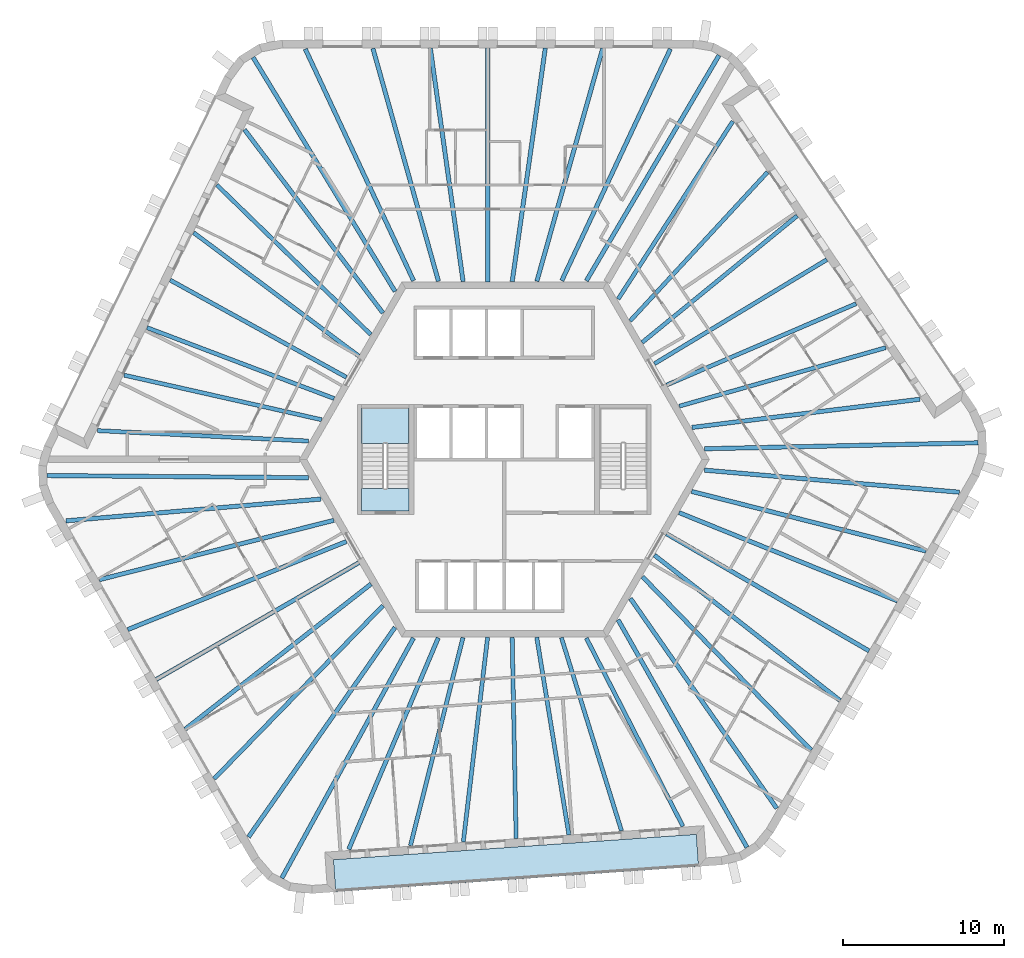
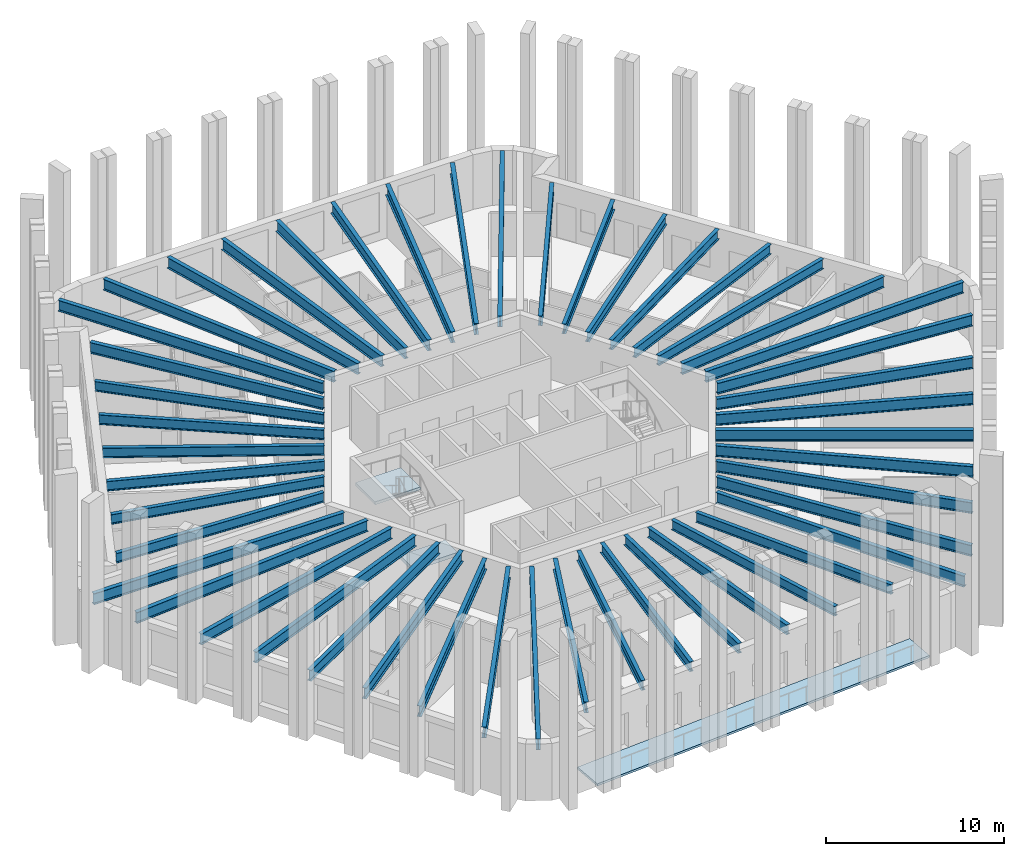
# One storey, part 1 of 12: 48 beams, 3 slabs, 1 element without a shape of its own.
"""IFC4 building model written with IfcOpenShell, lengths in metres."""

from ifc_helpers import new_model, si_unit, direction, frame, origin, origin_2d, place, context, subcontext, project, spatial, polyline, i_section, outline, extrude, material, layer, layer_set, material_profile, profile_set, type_object, element, aggregate, save


model = new_model("IFC4")

# Units and contexts
model_context = context("Model", 3, precision=1e-05, world=origin(), true_north=direction((0.0, 1.0)))
body_context = subcontext(model_context, "Body", "Model", "MODEL_VIEW")
ifc_project = project(units=[si_unit("LENGTHUNIT", "METRE"), si_unit("AREAUNIT", "SQUARE_METRE"), si_unit("VOLUMEUNIT", "CUBIC_METRE"), si_unit("PLANEANGLEUNIT", "RADIAN"), si_unit("MASSUNIT", "GRAM", prefix="KILO")], contexts=[model_context])

# Site, building, storey
site_placement = place(None, origin())
site = spatial("IfcSite", under=ifc_project, at=site_placement, CompositionType="ELEMENT")
building_placement = place(site_placement, origin())
building = spatial("IfcBuilding", under=site, at=building_placement, Name="Tarnside Tower", CompositionType="ELEMENT")
storey_placement = place(building_placement, frame((0.0, 0.0, 291.300048828125)))
storey = spatial("IfcBuildingStorey", under=building, at=storey_placement, Name="L70", CompositionType="ELEMENT", Elevation=291.300048828125)

# Beams
ifc_material_1 = material(Name="Steel S355", Category="steel")
ifc_material_profile_1 = material_profile(ifc_material_1, i_section(OverallWidth=0.2529296875, OverallDepth=0.677978515625, WebThickness=0.01171875, FlangeThickness=0.01611328125, FilletRadius=0.01513671875, at=origin_2d()), Name="UB 686x254x125")
ifc_profile_set_1 = profile_set([ifc_material_profile_1], Name="Steel S355")
beam_type_1 = type_object("IfcBeamType", Name="Floor beam UB 686x254x125", PredefinedType="BEAM", material=ifc_profile_set_1)
beam_1_placement = place(storey_placement, frame((-17.811279296875, 17.002197265625, 3.410888671875), z_axis=(0.717190986424, -0.696876666988, 0.0), x_axis=(0.696876666988, 0.717190986424, 0.0)))
element("IfcBeam", 1, at=beam_1_placement, inside=storey, type_object=beam_type_1, Name="Floor beam F2.02", PredefinedType="BEAM", context=body_context, shape_type="SweptSolid", body=[
    extrude(i_section(OverallWidth=0.2529296875, OverallDepth=0.677978515625, WebThickness=0.01171875, FlangeThickness=0.01611328125, FilletRadius=0.01513671875, at=origin_2d()), origin(), (0.0, 0.0, 1.0), 13.2919921875),
])
beam_2_placement = place(storey_placement, frame((-19.25, 14.0498046875, 3.410888671875), z_axis=(0.801006417676, -0.598655759883, 0.0), x_axis=(0.598655759883, 0.801006417676, 0.0)))
element("IfcBeam", 2, at=beam_2_placement, inside=storey, type_object=beam_type_1, Name="Floor beam F2.03", PredefinedType="BEAM", context=body_context, shape_type="SweptSolid", body=[
    extrude(i_section(OverallWidth=0.2529296875, OverallDepth=0.677978515625, WebThickness=0.01171875, FlangeThickness=0.01611328125, FilletRadius=0.01513671875, at=origin_2d()), origin(), (0.0, 0.0, 1.0), 12.764892578125),
])
beam_3_placement = place(storey_placement, frame((-20.70458984375, 11.111572265625, 3.410888671875), z_axis=(0.875666768762, -0.482915841619, 0.0), x_axis=(0.482915841619, 0.875666768762, 0.0)))
element("IfcBeam", 3, at=beam_3_placement, inside=storey, type_object=beam_type_1, Name="Floor beam F2.04", PredefinedType="BEAM", context=body_context, shape_type="SweptSolid", body=[
    extrude(i_section(OverallWidth=0.2529296875, OverallDepth=0.677978515625, WebThickness=0.01171875, FlangeThickness=0.01611328125, FilletRadius=0.01513671875, at=origin_2d()), origin(), (0.0, 0.0, 1.0), 12.468994140625),
])
beam_4_placement = place(storey_placement, frame((-22.141357421875, 8.165771484375, 3.410888671875), z_axis=(0.935116350489, -0.354340811998, 0.0), x_axis=(0.354340811998, 0.935116350489, 0.0)))
element("IfcBeam", 4, at=beam_4_placement, inside=storey, type_object=beam_type_1, Name="Floor beam F2.05", PredefinedType="BEAM", context=body_context, shape_type="SweptSolid", body=[
    extrude(i_section(OverallWidth=0.2529296875, OverallDepth=0.677978515625, WebThickness=0.01171875, FlangeThickness=0.01611328125, FilletRadius=0.01513671875, at=origin_2d()), origin(), (0.0, 0.0, 1.0), 12.399169921875),
])
beam_5_placement = place(storey_placement, frame((-23.556884765625, 5.2197265625, 3.410888671875), z_axis=(0.975445185376, -0.220242344534, 0.0), x_axis=(0.220242344534, 0.975445185376, 0.0)))
element("IfcBeam", 5, at=beam_5_placement, inside=storey, type_object=beam_type_1, Name="Floor beam F2.06", PredefinedType="BEAM", context=body_context, shape_type="SweptSolid", body=[
    extrude(i_section(OverallWidth=0.2529296875, OverallDepth=0.677978515625, WebThickness=0.01171875, FlangeThickness=0.01611328125, FilletRadius=0.01513671875, at=origin_2d()), origin(), (0.0, 0.0, 1.0), 12.538330078125),
])
beam_6_placement = place(storey_placement, frame((-25.214599609375, 1.7841796875, 3.410888671875), z_axis=(0.998783137237, -0.049317793651, 0.0), x_axis=(0.049317793651, 0.998783137237, 0.0)))
element("IfcBeam", 6, at=beam_6_placement, inside=storey, type_object=beam_type_1, Name="Floor beam F2.07", PredefinedType="BEAM", context=body_context, shape_type="SweptSolid", body=[
    extrude(i_section(OverallWidth=0.2529296875, OverallDepth=0.677978515625, WebThickness=0.01171875, FlangeThickness=0.01611328125, FilletRadius=0.01513671875, at=origin_2d()), origin(), (0.0, 0.0, 1.0), 13.103515625),
])
beam_7_placement = place(storey_placement, frame((-5.818603515625, -23.92626953125, 3.410888671875), z_axis=(0.244907502604, 0.969546448175, 0.0), x_axis=(-0.969546448175, 0.244907502604, 0.0)))
element("IfcBeam", 7, at=beam_7_placement, inside=storey, type_object=beam_type_1, Name="Floor beam F4.02", PredefinedType="BEAM", context=body_context, shape_type="SweptSolid", body=[
    extrude(i_section(OverallWidth=0.2529296875, OverallDepth=0.677978515625, WebThickness=0.01171875, FlangeThickness=0.01611328125, FilletRadius=0.01513671875, at=origin_2d()), origin(), (0.0, 0.0, 1.0), 13.292236328125),
])
beam_8_placement = place(storey_placement, frame((-2.54248046875, -23.69580078125, 3.410888671875), z_axis=(0.117949762105, 0.993019563563, 0.0), x_axis=(-0.993019563563, 0.117949762105, 0.0)))
element("IfcBeam", 8, at=beam_8_placement, inside=storey, type_object=beam_type_1, Name="Floor beam F4.03", PredefinedType="BEAM", context=body_context, shape_type="SweptSolid", body=[
    extrude(i_section(OverallWidth=0.2529296875, OverallDepth=0.677978515625, WebThickness=0.01171875, FlangeThickness=0.01611328125, FilletRadius=0.01513671875, at=origin_2d()), origin(), (0.0, 0.0, 1.0), 12.764892578125),
])
beam_9_placement = place(storey_placement, frame((0.7294921875, -23.486328125, 3.410888671875), z_axis=(-0.019619426101, 0.999807520536, 0.0), x_axis=(-0.999807520536, -0.019619426101, 0.0)))
element("IfcBeam", 9, at=beam_9_placement, inside=storey, type_object=beam_type_1, Name="Floor beam F4.04", PredefinedType="BEAM", context=body_context, shape_type="SweptSolid", body=[
    extrude(i_section(OverallWidth=0.2529296875, OverallDepth=0.677978515625, WebThickness=0.01171875, FlangeThickness=0.01611328125, FilletRadius=0.01513671875, at=origin_2d()), origin(), (0.0, 0.0, 1.0), 12.46875),
])
beam_10_placement = place(storey_placement, frame((3.9990234375, -23.2578125, 3.410888671875), z_axis=(-0.160690769029, 0.987004800773, 0.0), x_axis=(-0.987004800773, -0.160690769029, 0.0)))
element("IfcBeam", 10, at=beam_10_placement, inside=storey, type_object=beam_type_1, Name="Floor beam F4.05", PredefinedType="BEAM", context=body_context, shape_type="SweptSolid", body=[
    extrude(i_section(OverallWidth=0.2529296875, OverallDepth=0.677978515625, WebThickness=0.01171875, FlangeThickness=0.01611328125, FilletRadius=0.01513671875, at=origin_2d()), origin(), (0.0, 0.0, 1.0), 12.399169921875),
])
beam_11_placement = place(storey_placement, frame((7.258056640625, -23.0107421875, 3.410888671875), z_axis=(-0.296997512057, 0.954878252885, 0.0), x_axis=(-0.954878252885, -0.296997512057, 0.0)))
element("IfcBeam", 11, at=beam_11_placement, inside=storey, type_object=beam_type_1, Name="Floor beam F4.06", PredefinedType="BEAM", context=body_context, shape_type="SweptSolid", body=[
    extrude(i_section(OverallWidth=0.2529296875, OverallDepth=0.677978515625, WebThickness=0.01171875, FlangeThickness=0.01611328125, FilletRadius=0.01513671875, at=origin_2d()), origin(), (0.0, 0.0, 1.0), 12.538330078125),
])
beam_12_placement = place(storey_placement, frame((11.06201171875, -22.728515625, 3.410888671875), z_axis=(-0.456683143477, 0.889629420862, 0.0), x_axis=(-0.889629420862, -0.456683143477, 0.0)))
element("IfcBeam", 12, at=beam_12_placement, inside=storey, type_object=beam_type_1, Name="Floor beam F4.07", PredefinedType="BEAM", context=body_context, shape_type="SweptSolid", body=[
    extrude(i_section(OverallWidth=0.2529296875, OverallDepth=0.677978515625, WebThickness=0.01171875, FlangeThickness=0.01611328125, FilletRadius=0.01513671875, at=origin_2d()), origin(), (0.0, 0.0, 1.0), 13.103515625),
])
beam_13_placement = place(storey_placement, frame((23.6298828125, 6.924072265625, 3.410888671875), z_axis=(-0.962104001021, -0.272682766636, 0.0), x_axis=(0.272682766636, -0.962104001021, 0.0)))
element("IfcBeam", 13, at=beam_13_placement, inside=storey, type_object=beam_type_1, Name="Floor beam F6.02", PredefinedType="BEAM", context=body_context, shape_type="SweptSolid", body=[
    extrude(i_section(OverallWidth=0.2529296875, OverallDepth=0.677978515625, WebThickness=0.01171875, FlangeThickness=0.01611328125, FilletRadius=0.01513671875, at=origin_2d()), origin(), (0.0, 0.0, 1.0), 13.2919921875),
])
beam_14_placement = place(storey_placement, frame((21.792236328125, 9.64599609375, 3.410888671875), z_axis=(-0.918954980534, -0.394362452258, 0.0), x_axis=(0.394362452258, -0.918954980534, 0.0)))
element("IfcBeam", 14, at=beam_14_placement, inside=storey, type_object=beam_type_1, Name="Floor beam F6.03", PredefinedType="BEAM", context=body_context, shape_type="SweptSolid", body=[
    extrude(i_section(OverallWidth=0.2529296875, OverallDepth=0.677978515625, WebThickness=0.01171875, FlangeThickness=0.01611328125, FilletRadius=0.01513671875, at=origin_2d()), origin(), (0.0, 0.0, 1.0), 12.7646484375),
])
beam_15_placement = place(storey_placement, frame((19.97509765625, 12.375, 3.410888671875), z_axis=(-0.856046953876, -0.516898068055, 0.0), x_axis=(0.516898068055, -0.856046953876, 0.0)))
element("IfcBeam", 15, at=beam_15_placement, inside=storey, type_object=beam_type_1, Name="Floor beam F6.04", PredefinedType="BEAM", context=body_context, shape_type="SweptSolid", body=[
    extrude(i_section(OverallWidth=0.2529296875, OverallDepth=0.677978515625, WebThickness=0.01171875, FlangeThickness=0.01611328125, FilletRadius=0.01513671875, at=origin_2d()), origin(), (0.0, 0.0, 1.0), 12.46875),
])
beam_16_placement = place(storey_placement, frame((18.142333984375, 15.092041015625, 3.410888671875), z_axis=(-0.774438707576, -0.632648945473, 0.0), x_axis=(0.632648945473, -0.774438707576, 0.0)))
element("IfcBeam", 16, at=beam_16_placement, inside=storey, type_object=beam_type_1, Name="Floor beam F6.05", PredefinedType="BEAM", context=body_context, shape_type="SweptSolid", body=[
    extrude(i_section(OverallWidth=0.2529296875, OverallDepth=0.677978515625, WebThickness=0.01171875, FlangeThickness=0.01611328125, FilletRadius=0.01513671875, at=origin_2d()), origin(), (0.0, 0.0, 1.0), 12.39892578125),
])
beam_17_placement = place(storey_placement, frame((16.299072265625, 17.791015625, 3.410888671875), z_axis=(-0.67846123451, -0.734636204708, 0.0), x_axis=(0.734636204708, -0.67846123451, 0.0)))
element("IfcBeam", 17, at=beam_17_placement, inside=storey, type_object=beam_type_1, Name="Floor beam F6.06", PredefinedType="BEAM", context=body_context, shape_type="SweptSolid", body=[
    extrude(i_section(OverallWidth=0.2529296875, OverallDepth=0.677978515625, WebThickness=0.01171875, FlangeThickness=0.01611328125, FilletRadius=0.01513671875, at=origin_2d()), origin(), (0.0, 0.0, 1.0), 12.538330078125),
])
beam_18_placement = place(storey_placement, frame((14.152587890625, 20.9443359375, 3.410888671875), z_axis=(-0.54209970956, -0.840314170352, 0.0), x_axis=(0.840314170352, -0.54209970956, 0.0)))
element("IfcBeam", 18, at=beam_18_placement, inside=storey, type_object=beam_type_1, Name="Floor beam F6.07", PredefinedType="BEAM", context=body_context, shape_type="SweptSolid", body=[
    extrude(i_section(OverallWidth=0.2529296875, OverallDepth=0.677978515625, WebThickness=0.01171875, FlangeThickness=0.01611328125, FilletRadius=0.01513671875, at=origin_2d()), origin(), (0.0, 0.0, 1.0), 13.103759765625),
])
ifc_material_profile_2 = material_profile(ifc_material_1, i_section(OverallWidth=0.26513671875, OverallDepth=0.75390625, WebThickness=0.0126953125, FlangeThickness=0.017578125, FilletRadius=0.0166015625, at=origin_2d()), Name="UB 762x267x147")
ifc_profile_set_2 = profile_set([ifc_material_profile_2], Name="Steel S355")
beam_type_2 = type_object("IfcBeamType", Name="Floor beam UB 762x267x147", PredefinedType="BEAM", material=ifc_profile_set_2)
beam_19_placement = place(storey_placement, frame((6.093505859375, 25.46142578125, 3.373046875), z_axis=(-0.272147186115, -0.962255636039, 0.0), x_axis=(0.962255636039, -0.272147186115, 0.0)))
element("IfcBeam", 19, at=beam_19_placement, inside=storey, type_object=beam_type_2, Name="Floor beam F1.02", PredefinedType="BEAM", context=body_context, shape_type="SweptSolid", body=[
    extrude(i_section(OverallWidth=0.26513671875, OverallDepth=0.75390625, WebThickness=0.0126953125, FlangeThickness=0.017578125, FilletRadius=0.0166015625, at=origin_2d()), origin(), (0.0, 0.0, 1.0), 14.988525390625),
])
beam_20_placement = place(storey_placement, frame((2.537109375, 25.480224609375, 3.373046875), z_axis=(-0.140349428967, -0.990102034029, 0.0), x_axis=(0.990102034029, -0.140349428967, 0.0)))
element("IfcBeam", 20, at=beam_20_placement, inside=storey, type_object=beam_type_2, Name="Floor beam F1.03", PredefinedType="BEAM", context=body_context, shape_type="SweptSolid", body=[
    extrude(i_section(OverallWidth=0.26513671875, OverallDepth=0.75390625, WebThickness=0.0126953125, FlangeThickness=0.017578125, FilletRadius=0.0166015625, at=origin_2d()), origin(), (0.0, 0.0, 1.0), 14.60498046875),
])
beam_21_placement = place(storey_placement, frame((-1.02490234375, 25.5, 3.373046875), z_axis=(-0.000656653953, -0.999999784403, 0.0), x_axis=(0.999999784403, -0.000656653953, 0.0)))
element("IfcBeam", 21, at=beam_21_placement, inside=storey, type_object=beam_type_2, Name="Floor beam F1.04", PredefinedType="BEAM", context=body_context, shape_type="SweptSolid", body=[
    extrude(i_section(OverallWidth=0.26513671875, OverallDepth=0.75390625, WebThickness=0.0126953125, FlangeThickness=0.017578125, FilletRadius=0.0166015625, at=origin_2d()), origin(), (0.0, 0.0, 1.0), 14.5),
])
beam_22_placement = place(storey_placement, frame((-4.5869140625, 25.480224609375, 3.373046875), z_axis=(0.139070897001, -0.990282427193, 0.0), x_axis=(0.990282427193, 0.139070897001, 0.0)))
element("IfcBeam", 22, at=beam_22_placement, inside=storey, type_object=beam_type_2, Name="Floor beam F1.05", PredefinedType="BEAM", context=body_context, shape_type="SweptSolid", body=[
    extrude(i_section(OverallWidth=0.26513671875, OverallDepth=0.75390625, WebThickness=0.0126953125, FlangeThickness=0.017578125, FilletRadius=0.0166015625, at=origin_2d()), origin(), (0.0, 0.0, 1.0), 14.602294921875),
])
beam_23_placement = place(storey_placement, frame((-8.1435546875, 25.46142578125, 3.373046875), z_axis=(0.270985274434, -0.962583493023, 0.0), x_axis=(0.962583493023, 0.270985274434, 0.0)))
element("IfcBeam", 23, at=beam_23_placement, inside=storey, type_object=beam_type_2, Name="Floor beam F1.06", PredefinedType="BEAM", context=body_context, shape_type="SweptSolid", body=[
    extrude(i_section(OverallWidth=0.26513671875, OverallDepth=0.75390625, WebThickness=0.0126953125, FlangeThickness=0.017578125, FilletRadius=0.0166015625, at=origin_2d()), origin(), (0.0, 0.0, 1.0), 14.9833984375),
])
beam_24_placement = place(storey_placement, frame((-16.101318359375, 20.43212890625, 3.373046875), z_axis=(0.602566097863, -0.798068980543, 0.0), x_axis=(0.798068980543, 0.602566097863, 0.0)))
element("IfcBeam", 24, at=beam_24_placement, inside=storey, type_object=beam_type_2, Name="Floor beam F2.01", PredefinedType="BEAM", context=body_context, shape_type="SweptSolid", body=[
    extrude(i_section(OverallWidth=0.26513671875, OverallDepth=0.75390625, WebThickness=0.0126953125, FlangeThickness=0.017578125, FilletRadius=0.0166015625, at=origin_2d()), origin(), (0.0, 0.0, 1.0), 14.231201171875),
])
beam_25_placement = place(storey_placement, frame((-25.09716796875, -7.45361328125, 3.373046875), z_axis=(0.969413823687, 0.245431942592, 0.0), x_axis=(-0.245431942592, 0.969413823687, 0.0)))
element("IfcBeam", 25, at=beam_25_placement, inside=storey, type_object=beam_type_2, Name="Floor beam F3.02", PredefinedType="BEAM", context=body_context, shape_type="SweptSolid", body=[
    extrude(i_section(OverallWidth=0.26513671875, OverallDepth=0.75390625, WebThickness=0.0126953125, FlangeThickness=0.017578125, FilletRadius=0.0166015625, at=origin_2d()), origin(), (0.0, 0.0, 1.0), 14.98876953125),
])
beam_26_placement = place(storey_placement, frame((-23.3349609375, -10.54296875, 3.373046875), z_axis=(0.927625766949, 0.373510958998, 0.0), x_axis=(-0.373510958998, 0.927625766949, 0.0)))
element("IfcBeam", 26, at=beam_26_placement, inside=storey, type_object=beam_type_2, Name="Floor beam F3.03", PredefinedType="BEAM", context=body_context, shape_type="SweptSolid", body=[
    extrude(i_section(OverallWidth=0.26513671875, OverallDepth=0.75390625, WebThickness=0.0126953125, FlangeThickness=0.017578125, FilletRadius=0.0166015625, at=origin_2d()), origin(), (0.0, 0.0, 1.0), 14.60498046875),
])
beam_27_placement = place(storey_placement, frame((-21.5712890625, -13.6376953125, 3.373046875), z_axis=(0.866357363831, 0.499424587036, 0.0), x_axis=(-0.499424587036, 0.866357363831, 0.0)))
element("IfcBeam", 27, at=beam_27_placement, inside=storey, type_object=beam_type_2, Name="Floor beam F3.04", PredefinedType="BEAM", context=body_context, shape_type="SweptSolid", body=[
    extrude(i_section(OverallWidth=0.26513671875, OverallDepth=0.75390625, WebThickness=0.0126953125, FlangeThickness=0.017578125, FilletRadius=0.0166015625, at=origin_2d()), origin(), (0.0, 0.0, 1.0), 14.5),
])
beam_28_placement = place(storey_placement, frame((-19.77294921875, -16.71240234375, 3.373046875), z_axis=(0.788074813552, 0.615579473541, 0.0), x_axis=(-0.615579473541, 0.788074813552, 0.0)))
element("IfcBeam", 28, at=beam_28_placement, inside=storey, type_object=beam_type_2, Name="Floor beam F3.05", PredefinedType="BEAM", context=body_context, shape_type="SweptSolid", body=[
    extrude(i_section(OverallWidth=0.26513671875, OverallDepth=0.75390625, WebThickness=0.0126953125, FlangeThickness=0.017578125, FilletRadius=0.0166015625, at=origin_2d()), origin(), (0.0, 0.0, 1.0), 14.60205078125),
])
beam_29_placement = place(storey_placement, frame((-17.978515625, -19.783203125, 3.373046875), z_axis=(0.698129580508, 0.71597143017, 0.0), x_axis=(-0.71597143017, 0.698129580508, 0.0)))
element("IfcBeam", 29, at=beam_29_placement, inside=storey, type_object=beam_type_2, Name="Floor beam F3.06", PredefinedType="BEAM", context=body_context, shape_type="SweptSolid", body=[
    extrude(i_section(OverallWidth=0.26513671875, OverallDepth=0.75390625, WebThickness=0.0126953125, FlangeThickness=0.017578125, FilletRadius=0.0166015625, at=origin_2d()), origin(), (0.0, 0.0, 1.0), 14.983642578125),
])
beam_30_placement = place(storey_placement, frame((-9.64404296875, -24.160400390625, 3.373046875), z_axis=(0.389873911801, 0.920868249478, 0.0), x_axis=(-0.920868249478, 0.389873911801, 0.0)))
element("IfcBeam", 30, at=beam_30_placement, inside=storey, type_object=beam_type_2, Name="Floor beam F4.01", PredefinedType="BEAM", context=body_context, shape_type="SweptSolid", body=[
    extrude(i_section(OverallWidth=0.26513671875, OverallDepth=0.75390625, WebThickness=0.0126953125, FlangeThickness=0.017578125, FilletRadius=0.0166015625, at=origin_2d()), origin(), (0.0, 0.0, 1.0), 14.231201171875),
])
beam_31_placement = place(storey_placement, frame((19.00341796875, -18.008056640625, 3.373046875), z_axis=(-0.697249797022, 0.716828236437, 0.0), x_axis=(-0.716828236437, -0.697249797022, 0.0)))
element("IfcBeam", 31, at=beam_31_placement, inside=storey, type_object=beam_type_2, Name="Floor beam F5.02", PredefinedType="BEAM", context=body_context, shape_type="SweptSolid", body=[
    extrude(i_section(OverallWidth=0.26513671875, OverallDepth=0.75390625, WebThickness=0.0126953125, FlangeThickness=0.017578125, FilletRadius=0.0166015625, at=origin_2d()), origin(), (0.0, 0.0, 1.0), 14.98876953125),
])
beam_32_placement = place(storey_placement, frame((20.798095703125, -14.937255859375, 3.373046875), z_axis=(-0.787282014804, 0.616593082321, 0.0), x_axis=(-0.616593082321, -0.787282014804, 0.0)))
element("IfcBeam", 32, at=beam_32_placement, inside=storey, type_object=beam_type_2, Name="Floor beam F5.03", PredefinedType="BEAM", context=body_context, shape_type="SweptSolid", body=[
    extrude(i_section(OverallWidth=0.26513671875, OverallDepth=0.75390625, WebThickness=0.0126953125, FlangeThickness=0.017578125, FilletRadius=0.0166015625, at=origin_2d()), origin(), (0.0, 0.0, 1.0), 14.60498046875),
])
beam_33_placement = place(storey_placement, frame((22.59619140625, -11.8623046875, 3.373046875), z_axis=(-0.865697438889, 0.500567622106, 0.0), x_axis=(-0.500567622106, -0.865697438889, 0.0)))
element("IfcBeam", 33, at=beam_33_placement, inside=storey, type_object=beam_type_2, Name="Floor beam F5.04", PredefinedType="BEAM", context=body_context, shape_type="SweptSolid", body=[
    extrude(i_section(OverallWidth=0.26513671875, OverallDepth=0.75390625, WebThickness=0.0126953125, FlangeThickness=0.017578125, FilletRadius=0.0166015625, at=origin_2d()), origin(), (0.0, 0.0, 1.0), 14.500244140625),
])
beam_34_placement = place(storey_placement, frame((24.35986328125, -8.767578125, 3.373046875), z_axis=(-0.927145907531, 0.374700501933, 0.0), x_axis=(-0.374700501933, -0.927145907531, 0.0)))
element("IfcBeam", 34, at=beam_34_placement, inside=storey, type_object=beam_type_2, Name="Floor beam F5.05", PredefinedType="BEAM", context=body_context, shape_type="SweptSolid", body=[
    extrude(i_section(OverallWidth=0.26513671875, OverallDepth=0.75390625, WebThickness=0.0126953125, FlangeThickness=0.017578125, FilletRadius=0.0166015625, at=origin_2d()), origin(), (0.0, 0.0, 1.0), 14.60205078125),
])
beam_35_placement = place(storey_placement, frame((26.1220703125, -5.67822265625, 3.373046875), z_axis=(-0.969115089144, 0.246608888716, 0.0), x_axis=(-0.246608888716, -0.969115089144, 0.0)))
element("IfcBeam", 35, at=beam_35_placement, inside=storey, type_object=beam_type_2, Name="Floor beam F5.06", PredefinedType="BEAM", context=body_context, shape_type="SweptSolid", body=[
    extrude(i_section(OverallWidth=0.26513671875, OverallDepth=0.75390625, WebThickness=0.0126953125, FlangeThickness=0.017578125, FilletRadius=0.0166015625, at=origin_2d()), origin(), (0.0, 0.0, 1.0), 14.9833984375),
])
beam_36_placement = place(storey_placement, frame((25.745361328125, 3.72802734375, 3.373046875), z_axis=(-0.992433598491, -0.122782541866, 0.0), x_axis=(0.122782541866, -0.992433598491, 0.0)))
element("IfcBeam", 36, at=beam_36_placement, inside=storey, type_object=beam_type_2, Name="Floor beam F6.01", PredefinedType="BEAM", context=body_context, shape_type="SweptSolid", body=[
    extrude(i_section(OverallWidth=0.26513671875, OverallDepth=0.75390625, WebThickness=0.0126953125, FlangeThickness=0.017578125, FilletRadius=0.0166015625, at=origin_2d()), origin(), (0.0, 0.0, 1.0), 14.23095703125),
])
ifc_material_profile_3 = material_profile(ifc_material_1, i_section(OverallWidth=0.2666015625, OverallDepth=0.76220703125, WebThickness=0.014404296875, FlangeThickness=0.021484375, FilletRadius=0.0166015625, at=origin_2d()), Name="UB 762x267x173")
ifc_profile_set_3 = profile_set([ifc_material_profile_3], Name="Steel S355")
beam_type_3 = type_object("IfcBeamType", Name="Floor beam UB 762x267x173", PredefinedType="BEAM", material=ifc_profile_set_3)
beam_37_placement = place(storey_placement, frame((10.285400390625, 25.427490234375, 3.368896484375), z_axis=(-0.424439399801, -0.905456346765, 0.0), x_axis=(0.905456346765, -0.424439399801, 0.0)))
element("IfcBeam", 37, at=beam_37_placement, inside=storey, type_object=beam_type_3, Name="Floor beam F1.01", PredefinedType="BEAM", context=body_context, shape_type="SweptSolid", body=[
    extrude(i_section(OverallWidth=0.2666015625, OverallDepth=0.76220703125, WebThickness=0.014404296875, FlangeThickness=0.021484375, FilletRadius=0.0166015625, at=origin_2d()), origin(), (0.0, 0.0, 1.0), 15.853759765625),
])
beam_38_placement = place(storey_placement, frame((-12.335205078125, 25.427490234375, 3.368896484375), z_axis=(0.423453877267, -0.905917663934, 0.0), x_axis=(0.905917663934, 0.423453877267, 0.0)))
element("IfcBeam", 38, at=beam_38_placement, inside=storey, type_object=beam_type_3, Name="Floor beam F1.07", PredefinedType="BEAM", context=body_context, shape_type="SweptSolid", body=[
    extrude(i_section(OverallWidth=0.2666015625, OverallDepth=0.76220703125, WebThickness=0.014404296875, FlangeThickness=0.021484375, FilletRadius=0.0166015625, at=origin_2d()), origin(), (0.0, 0.0, 1.0), 15.845703125),
])
beam_39_placement = place(storey_placement, frame((-15.5703125, 24.91162109375, 3.368896484375), z_axis=(0.518716683755, -0.854946198304, 0.0), x_axis=(0.854946198304, 0.518716683755, 0.0)))
element("IfcBeam", 39, at=beam_39_placement, inside=storey, type_object=beam_type_3, Name="Floor beam C1", PredefinedType="BEAM", context=body_context, shape_type="SweptSolid", body=[
    extrude(i_section(OverallWidth=0.2666015625, OverallDepth=0.76220703125, WebThickness=0.014404296875, FlangeThickness=0.021484375, FilletRadius=0.0166015625, at=origin_2d()), origin(), (0.0, 0.0, 1.0), 16.961181640625),
])
beam_40_placement = place(storey_placement, frame((-28.3291015625, -1.0009765625, 3.368896484375), z_axis=(0.999966651082, -0.008166806173, 0.0), x_axis=(0.008166806173, 0.999966651082, 0.0)))
element("IfcBeam", 40, at=beam_40_placement, inside=storey, type_object=beam_type_3, Name="Floor beam C2", PredefinedType="BEAM", context=body_context, shape_type="SweptSolid", body=[
    extrude(i_section(OverallWidth=0.2666015625, OverallDepth=0.76220703125, WebThickness=0.014404296875, FlangeThickness=0.021484375, FilletRadius=0.0166015625, at=origin_2d()), origin(), (0.0, 0.0, 1.0), 16.20263671875),
])
beam_41_placement = place(storey_placement, frame((-27.16357421875, -3.806396484375, 3.368896484375), z_axis=(0.996367434748, 0.085158293626, 0.0), x_axis=(-0.085158293626, 0.996367434748, 0.0)))
element("IfcBeam", 41, at=beam_41_placement, inside=storey, type_object=beam_type_3, Name="Floor beam F3.01", PredefinedType="BEAM", context=body_context, shape_type="SweptSolid", body=[
    extrude(i_section(OverallWidth=0.2666015625, OverallDepth=0.76220703125, WebThickness=0.014404296875, FlangeThickness=0.021484375, FilletRadius=0.0166015625, at=origin_2d()), origin(), (0.0, 0.0, 1.0), 15.85400390625),
])
beam_42_placement = place(storey_placement, frame((-15.853271484375, -23.396484375, 3.368896484375), z_axis=(0.572816933654, 0.819683329414, 0.0), x_axis=(-0.819683329414, 0.572816933654, 0.0)))
element("IfcBeam", 42, at=beam_42_placement, inside=storey, type_object=beam_type_3, Name="Floor beam F3.07", PredefinedType="BEAM", context=body_context, shape_type="SweptSolid", body=[
    extrude(i_section(OverallWidth=0.2666015625, OverallDepth=0.76220703125, WebThickness=0.014404296875, FlangeThickness=0.021484375, FilletRadius=0.0166015625, at=origin_2d()), origin(), (0.0, 0.0, 1.0), 15.84619140625),
])
beam_43_placement = place(storey_placement, frame((-13.788818359375, -25.93994140625, 3.368896484375), z_axis=(0.481036073107, 0.876700802081, 0.0), x_axis=(-0.876700802081, 0.481036073107, 0.0)))
element("IfcBeam", 43, at=beam_43_placement, inside=storey, type_object=beam_type_3, Name="Floor beam C3", PredefinedType="BEAM", context=body_context, shape_type="SweptSolid", body=[
    extrude(i_section(OverallWidth=0.2666015625, OverallDepth=0.76220703125, WebThickness=0.014404296875, FlangeThickness=0.021484375, FilletRadius=0.0166015625, at=origin_2d()), origin(), (0.0, 0.0, 1.0), 16.961181640625),
])
beam_44_placement = place(storey_placement, frame((15.031494140625, -24.033447265625, 3.368896484375), z_axis=(-0.49290801997, 0.870081423689, 0.0), x_axis=(-0.870081423689, -0.49290801997, 0.0)))
element("IfcBeam", 44, at=beam_44_placement, inside=storey, type_object=beam_type_3, Name="Floor beam C4", PredefinedType="BEAM", context=body_context, shape_type="SweptSolid", body=[
    extrude(i_section(OverallWidth=0.2666015625, OverallDepth=0.76220703125, WebThickness=0.014404296875, FlangeThickness=0.021484375, FilletRadius=0.0166015625, at=origin_2d()), origin(), (0.0, 0.0, 1.0), 16.202880859375),
])
beam_45_placement = place(storey_placement, frame((16.87841796875, -21.62109375, 3.368896484375), z_axis=(-0.571946235641, 0.82029110902, 0.0), x_axis=(-0.82029110902, -0.571946235641, 0.0)))
element("IfcBeam", 45, at=beam_45_placement, inside=storey, type_object=beam_type_3, Name="Floor beam F5.01", PredefinedType="BEAM", context=body_context, shape_type="SweptSolid", body=[
    extrude(i_section(OverallWidth=0.2666015625, OverallDepth=0.76220703125, WebThickness=0.014404296875, FlangeThickness=0.021484375, FilletRadius=0.0166015625, at=origin_2d()), origin(), (0.0, 0.0, 1.0), 15.85400390625),
])
beam_46_placement = place(storey_placement, frame((28.1884765625, -2.03125, 3.368896484375), z_axis=(-0.996273584651, 0.086249316098, 0.0), x_axis=(-0.086249316098, -0.996273584651, 0.0)))
element("IfcBeam", 46, at=beam_46_placement, inside=storey, type_object=beam_type_3, Name="Floor beam F5.07", PredefinedType="BEAM", context=body_context, shape_type="SweptSolid", body=[
    extrude(i_section(OverallWidth=0.2666015625, OverallDepth=0.76220703125, WebThickness=0.014404296875, FlangeThickness=0.021484375, FilletRadius=0.0166015625, at=origin_2d()), origin(), (0.0, 0.0, 1.0), 15.845947265625),
])
beam_47_placement = place(storey_placement, frame((29.359130859375, 1.028564453125, 3.368896484375), z_axis=(-0.999763142455, -0.02176370807, 0.0), x_axis=(0.02176370807, -0.999763142455, 0.0)))
element("IfcBeam", 47, at=beam_47_placement, inside=storey, type_object=beam_type_3, Name="Floor beam C5", PredefinedType="BEAM", context=body_context, shape_type="SweptSolid", body=[
    extrude(i_section(OverallWidth=0.2666015625, OverallDepth=0.76220703125, WebThickness=0.014404296875, FlangeThickness=0.021484375, FilletRadius=0.0166015625, at=origin_2d()), origin(), (0.0, 0.0, 1.0), 16.961181640625),
])
beam_48_placement = place(storey_placement, frame((13.2978515625, 25.0341796875, 3.368896484375), z_axis=(-0.507080048325, -0.861898964259, 0.0), x_axis=(0.861898964259, -0.507080048325, 0.0)))
element("IfcBeam", 48, at=beam_48_placement, inside=storey, type_object=beam_type_3, Name="Floor beam C6", PredefinedType="BEAM", context=body_context, shape_type="SweptSolid", body=[
    extrude(i_section(OverallWidth=0.2666015625, OverallDepth=0.76220703125, WebThickness=0.014404296875, FlangeThickness=0.021484375, FilletRadius=0.0166015625, at=origin_2d()), origin(), (0.0, 0.0, 1.0), 16.20263671875),
])

# Slabs
ifc_material_2 = material(Name="Concrete C40/50", Category="concrete")
ifc_layer_1 = layer(ifc_material_2, 0.25)
ifc_layer_set_1 = layer_set([ifc_layer_1], Name="Core slab C40/50")
slab_type_1 = type_object("IfcSlabType", Name="Core slab C40/50", PredefinedType="FLOOR", material=ifc_layer_set_1)
slab_1_placement = place(storey_placement, frame((0.0, 0.0, -0.25)))
element("IfcSlab", 49, at=slab_1_placement, inside=storey, type_object=slab_type_1, Name="L70 core floor slab 2", PredefinedType="FLOOR", context=body_context, shape_type="SweptSolid", body=[
    extrude(outline(polyline([(-8.85009765625, -3.199951171875), (-8.85009765625, -1.800048828125), (-5.89990234375, -1.800048828125), (-5.89990234375, -3.199951171875), (-8.85009765625, -3.199951171875)])), origin(), (0.0, 0.0, 1.0), 0.25),
])
ifc_material_3 = material(Name="Timber decking", Category="wood")
ifc_layer_2 = layer(ifc_material_3, 0.0400390625)
ifc_material_4 = material(Name="Concrete C60/75 precast", Category="concrete")
ifc_layer_3 = layer(ifc_material_4, 0.110107421875)
ifc_layer_set_2 = layer_set([ifc_layer_2, ifc_layer_3], Name="Loggia deck 150")
slab_type_2 = type_object("IfcSlabType", Name="Loggia deck 150", PredefinedType="FLOOR", material=ifc_layer_set_2)
slab_2_placement = place(storey_placement, frame((0.0, 0.0, -0.150146484375)))
element("IfcSlab", 50, at=slab_2_placement, inside=storey, type_object=slab_type_2, Name="Loggia deck L70 F4", PredefinedType="FLOOR", context=body_context, shape_type="SweptSolid", body=[
    extrude(outline(polyline([(-10.593017578125, -24.79931640625), (11.896728515625, -23.226806640625), (12.036376953125, -25.221923828125), (-10.45361328125, -26.79443359375), (-10.593017578125, -24.79931640625)])), origin(), (0.0, 0.0, 1.0), 0.150146484375),
])

# Stair, slab
stair_type = type_object("IfcStairType", Name="Exit stair 1400 clear", PredefinedType="HALF_TURN_STAIR", material=ifc_material_2)
stair_placement = place(storey_placement, origin())
stair = element("IfcStair", 51, at=stair_placement, inside=storey, type_object=stair_type, Name="L70 Exit stair 2", PredefinedType="HALF_TURN_STAIR")
ifc_layer_4 = layer(ifc_material_2, 0.199951171875)
ifc_layer_set_3 = layer_set([ifc_layer_4], Name="Stair landing 200 C40/50")
slab_type_3 = type_object("IfcSlabType", Name="Stair landing 200 C40/50", PredefinedType="LANDING", material=ifc_layer_set_3)
slab_3_placement = place(storey_placement, frame((0.0, 0.0, 1.75)))
slab_3 = element("IfcSlab", 52, at=slab_3_placement, type_object=slab_type_3, Name="ST2 landing 1", PredefinedType="LANDING", context=body_context, shape_type="SweptSolid", body=[
    extrude(outline(polyline([(-5.89990234375, 1.0), (-5.89990234375, 3.199951171875), (-8.85009765625, 3.199951171875), (-8.85009765625, 1.0), (-5.89990234375, 1.0)])), origin(), (0.0, 0.0, 1.0), 0.199951171875),
])
aggregate(stair, [slab_3])

save(model, "model.ifc")
